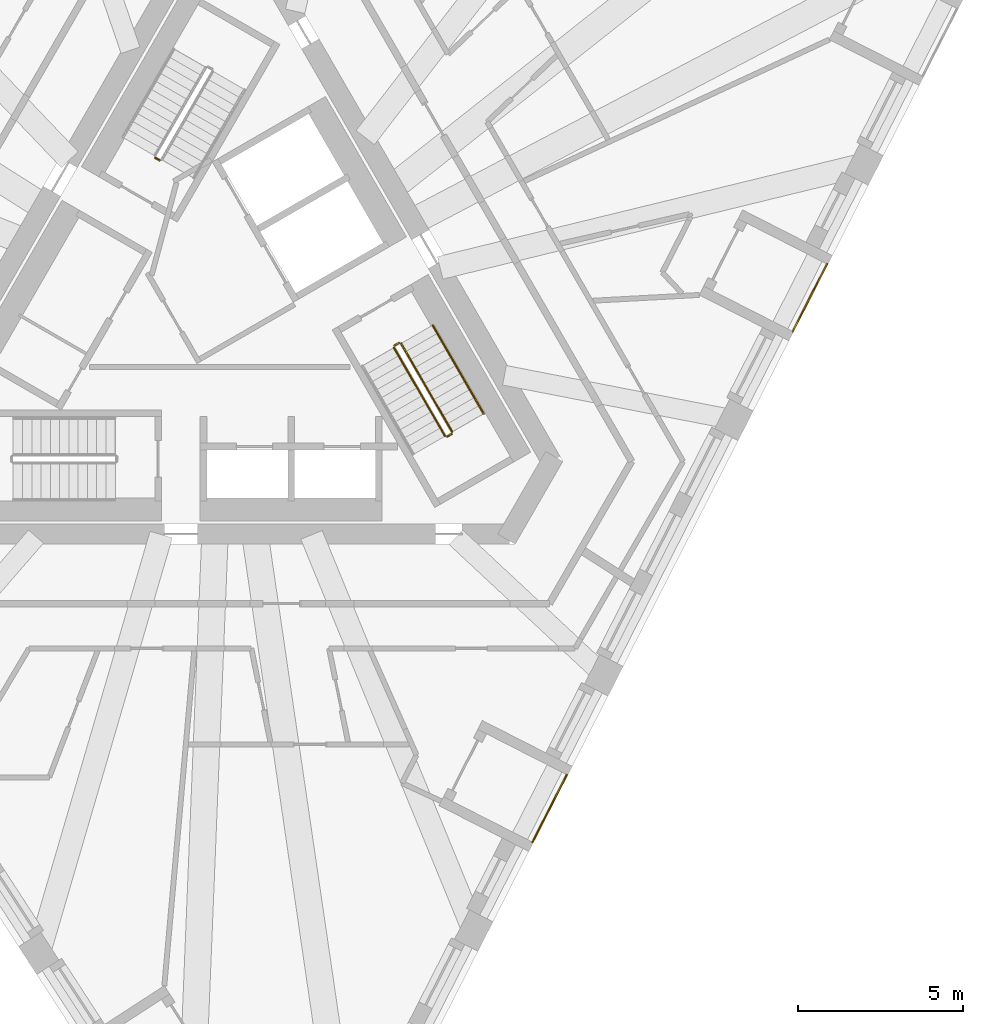
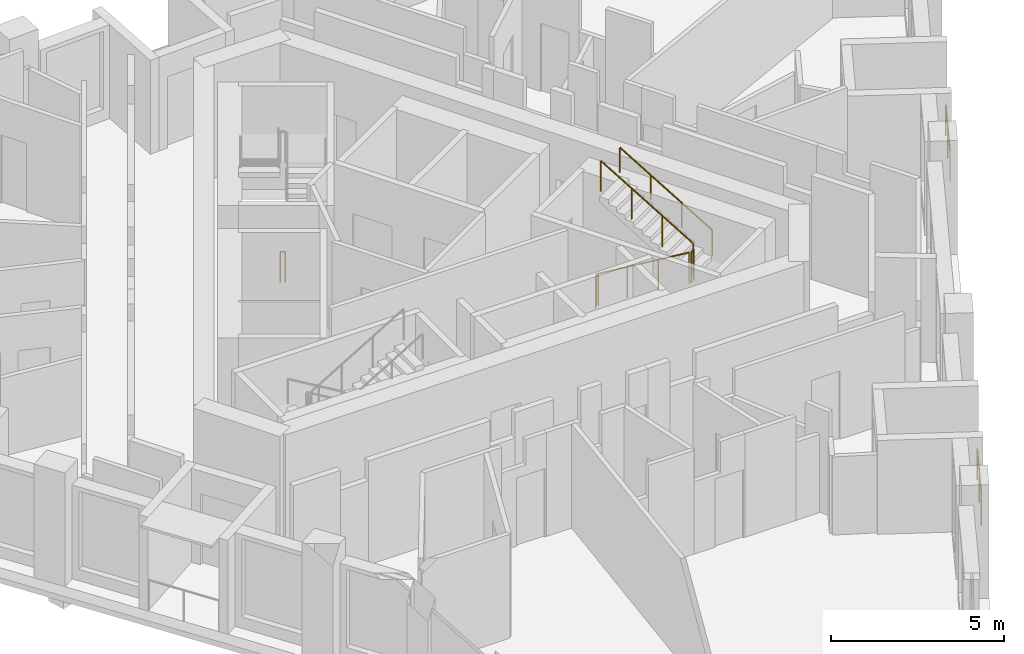
# One storey, part 11 of 13: 8 railings.
"""IFC4 building model written with IfcOpenShell, lengths in metres."""

from ifc_helpers import new_model, si_unit, direction, frame, origin, origin_2d, place, context, subcontext, project, spatial, circle, extrude, material, type_object, element, save


model = new_model("IFC4")

# Units and contexts
model_context = context("Model", 3, precision=1e-05, world=origin(), true_north=direction((0.0, 1.0)))
body_context = subcontext(model_context, "Body", "Model", "MODEL_VIEW")
ifc_project = project(units=[si_unit("LENGTHUNIT", "METRE"), si_unit("AREAUNIT", "SQUARE_METRE"), si_unit("VOLUMEUNIT", "CUBIC_METRE"), si_unit("PLANEANGLEUNIT", "RADIAN"), si_unit("MASSUNIT", "GRAM", prefix="KILO")], contexts=[model_context])

# Site, building, storey
site_placement = place(None, origin())
site = spatial("IfcSite", under=ifc_project, at=site_placement, CompositionType="ELEMENT")
building_placement = place(site_placement, origin())
building = spatial("IfcBuilding", under=site, at=building_placement, Name="Tramontana Tower", CompositionType="ELEMENT")
storey_placement = place(building_placement, frame((0.0, 0.0, 290.39990234375)))
storey = spatial("IfcBuildingStorey", under=building, at=storey_placement, Name="L68", CompositionType="ELEMENT", Elevation=290.39990234375)

# Railings
ifc_material_1 = material(Name="Laminated glass balustrade", Category="glass")
railing_type_1 = type_object("IfcRailingType", Name="GD1 Loggia glass balustrade 1100", PredefinedType="BALUSTRADE", material=ifc_material_1)
railing_1_placement = place(storey_placement, frame((9.3330078125, -15.75830078125, 0.0)))
element("IfcRailing", 1, at=railing_1_placement, inside=storey, type_object=railing_type_1, Name="Loggia balustrade L68 G7S1.4", PredefinedType="BALUSTRADE", context=body_context, shape_type="SweptSolid", body=[
    extrude(circle(Radius=0.02392578125, at=origin_2d()), frame((0.0, 0.0, 1.076171875), z_axis=(0.45403292632, 0.890984905494, 0.0), x_axis=(-0.890984905494, 0.45403292632, 0.0)), (0.0, 0.0, 1.0), 2.286865234375),
    extrude(circle(Radius=0.02099609375, at=origin_2d()), origin(), (0.0, 0.0, 1.0), 1.052001953125),
    extrude(circle(Radius=0.02099609375, at=origin_2d()), frame((0.51904296875, 1.018798828125, 0.0)), (0.0, 0.0, 1.0), 1.052001953125),
    extrude(circle(Radius=0.02099609375, at=origin_2d()), frame((1.038330078125, 2.03759765625, 0.0)), (0.0, 0.0, 1.0), 1.052001953125),
])
railing_2_placement = place(storey_placement, frame((17.196533203125, -0.32568359375, 0.0)))
element("IfcRailing", 2, at=railing_2_placement, inside=storey, type_object=railing_type_1, Name="Loggia balustrade L68 G7S1.10", PredefinedType="BALUSTRADE", context=body_context, shape_type="SweptSolid", body=[
    extrude(circle(Radius=0.02392578125, at=origin_2d()), frame((0.0, 0.0, 1.076171875), z_axis=(0.453948171533, 0.89102809022, 0.0), x_axis=(-0.89102809022, 0.453948171533, 0.0)), (0.0, 0.0, 1.0), 2.286865234375),
    extrude(circle(Radius=0.02099609375, at=origin_2d()), origin(), (0.0, 0.0, 1.0), 1.052001953125),
    extrude(circle(Radius=0.02099609375, at=origin_2d()), frame((0.51904296875, 1.018798828125, 0.0)), (0.0, 0.0, 1.0), 1.052001953125),
    extrude(circle(Radius=0.02099609375, at=origin_2d()), frame((1.0380859375, 2.03759765625, 0.0)), (0.0, 0.0, 1.0), 1.052001953125),
])
ifc_material_2 = material(Name="Painted steel", Category="steel")
railing_type_2 = type_object("IfcRailingType", Name="STAIR GUARD 1100", PredefinedType="GUARDRAIL", material=ifc_material_2)
railing_3_placement = place(storey_placement, frame((-1.935791015625, 4.84716796875, 0.0)))
element("IfcRailing", 3, at=railing_3_placement, inside=storey, type_object=railing_type_2, Name="L68 ST1 stair guard 4", PredefinedType="GUARDRAIL", context=body_context, shape_type="SweptSolid", body=[
    extrude(circle(Radius=0.02392578125, at=origin_2d()), frame((0.0, 0.0, 1.076171875), z_axis=(-0.865426285481, 0.501036270542, 0.0), x_axis=(-0.501036270542, -0.865426285481, 0.0)), (0.0, 0.0, 1.0), 0.150146484375),
    extrude(circle(Radius=0.02099609375, at=origin_2d()), origin(), (0.0, 0.0, 1.0), 1.052001953125),
    extrude(circle(Radius=0.02099609375, at=origin_2d()), frame((-0.1298828125, 0.0751953125, 0.0)), (0.0, 0.0, 1.0), 1.052001953125),
])
railing_4_placement = place(storey_placement, frame((5.1474609375, -0.815673828125, 0.166748046875)))
element("IfcRailing", 4, at=railing_4_placement, inside=storey, type_object=railing_type_2, Name="L68 ST3 stair guard 1", PredefinedType="GUARDRAIL", context=body_context, shape_type="SweptSolid", body=[
    extrude(circle(Radius=0.02392578125, at=origin_2d()), frame((0.0, 0.0, 1.076171875), z_axis=(0.429671193721, -0.744159446956, 0.511477646425), x_axis=(0.866010015463, 0.500026652407, 0.0)), (0.0, 0.0, 1.0), 3.584228515625),
    extrude(circle(Radius=0.02099609375, at=origin_2d()), origin(), (0.0, 0.0, 1.0), 1.052001953125),
    extrude(circle(Radius=0.02099609375, at=origin_2d()), frame((0.513427734375, -0.88916015625, 0.611083984375)), (0.0, 0.0, 1.0), 1.052001953125),
    extrude(circle(Radius=0.02099609375, at=origin_2d()), frame((1.026611328125, -1.778076171875, 1.22216796875)), (0.0, 0.0, 1.0), 1.052001953125),
    extrude(circle(Radius=0.02099609375, at=origin_2d()), frame((1.5400390625, -2.667236328125, 1.833251953125)), (0.0, 0.0, 1.0), 1.052001953125),
])
railing_5_placement = place(storey_placement, frame((6.90380859375, -3.35791015625, 2.166748046875)))
element("IfcRailing", 5, at=railing_5_placement, inside=storey, type_object=railing_type_2, Name="L68 ST3 stair guard 2", PredefinedType="GUARDRAIL", context=body_context, shape_type="SweptSolid", body=[
    extrude(circle(Radius=0.02392578125, at=origin_2d()), frame((0.0, 0.0, 1.076171875), z_axis=(-0.429615651263, 0.74418122563, 0.511492615401), x_axis=(-0.866044340336, -0.499967199496, 0.0)), (0.0, 0.0, 1.0), 3.584228515625),
    extrude(circle(Radius=0.02099609375, at=origin_2d()), origin(), (0.0, 0.0, 1.0), 1.052001953125),
    extrude(circle(Radius=0.02099609375, at=origin_2d()), frame((-0.51318359375, 0.88916015625, 0.611083984375)), (0.0, 0.0, 1.0), 1.052001953125),
    extrude(circle(Radius=0.02099609375, at=origin_2d()), frame((-1.026611328125, 1.778076171875, 1.22216796875)), (0.0, 0.0, 1.0), 1.052001953125),
    extrude(circle(Radius=0.02099609375, at=origin_2d()), frame((-1.539794921875, 2.667236328125, 1.833251953125)), (0.0, 0.0, 1.0), 1.052001953125),
])
for number, where, name in (
    (6, (6.755615234375, -3.501220703125, 2.0), "L68 ST3 stair guard 3"),
    (7, (5.165771484375, -0.747314453125, 0.0), "L68 ST3 stair guard 4"),
):
    element("IfcRailing", number, at=place(storey_placement, frame(where)), inside=storey, type_object=railing_type_2, Name=name, PredefinedType="GUARDRAIL", context=body_context, shape_type="SweptSolid", body=[
        extrude(circle(Radius=0.02392578125, at=origin_2d()), frame((0.0, 0.0, 1.076171875), z_axis=(0.866131372301, 0.499816412211, 0.0), x_axis=(-0.499816412211, 0.866131372301, 0.0)), (0.0, 0.0, 1.0), 0.14990234375),
        extrude(circle(Radius=0.02099609375, at=origin_2d()), origin(), (0.0, 0.0, 1.0), 1.052001953125),
        extrude(circle(Radius=0.02099609375, at=origin_2d()), frame((0.1298828125, 0.074951171875, 0.0)), (0.0, 0.0, 1.0), 1.052001953125),
    ])
ifc_material_3 = material(Name="Painted steel", Category="steel")
railing_type_3 = type_object("IfcRailingType", Name="STAIR HANDRAIL 900", PredefinedType="HANDRAIL", material=ifc_material_3)
railing_6_placement = place(storey_placement, frame((7.8564453125, -2.807861328125, 2.166748046875)))
element("IfcRailing", 8, at=railing_6_placement, inside=storey, type_object=railing_type_3, Name="L68 ST3 stair handrail 2", PredefinedType="HANDRAIL", context=body_context, shape_type="SweptSolid", body=[
    extrude(circle(Radius=0.02392578125, at=origin_2d()), frame((0.0, 0.0, 0.8759765625), z_axis=(-0.429615651263, 0.74418122563, 0.511492615401), x_axis=(-0.866044340336, -0.499967199496, 0.0)), (0.0, 0.0, 1.0), 3.584228515625),
    extrude(circle(Radius=0.02099609375, at=origin_2d()), origin(), (0.0, 0.0, 1.0), 0.851806640625),
    extrude(circle(Radius=0.02099609375, at=origin_2d()), frame((-0.51318359375, 0.88916015625, 0.611083984375)), (0.0, 0.0, 1.0), 0.851806640625),
    extrude(circle(Radius=0.02099609375, at=origin_2d()), frame((-1.026611328125, 1.778076171875, 1.22216796875)), (0.0, 0.0, 1.0), 0.851806640625),
    extrude(circle(Radius=0.02099609375, at=origin_2d()), frame((-1.539794921875, 2.667236328125, 1.833251953125)), (0.0, 0.0, 1.0), 0.851806640625),
])

save(model, "model.ifc")
